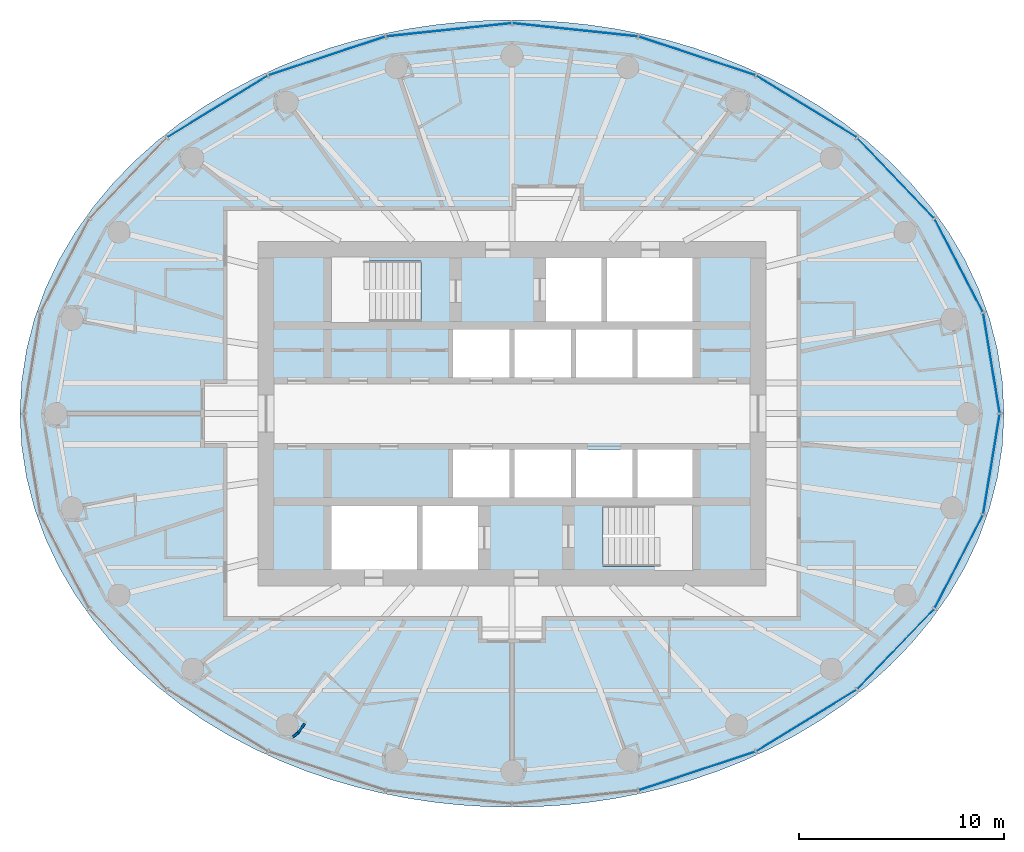
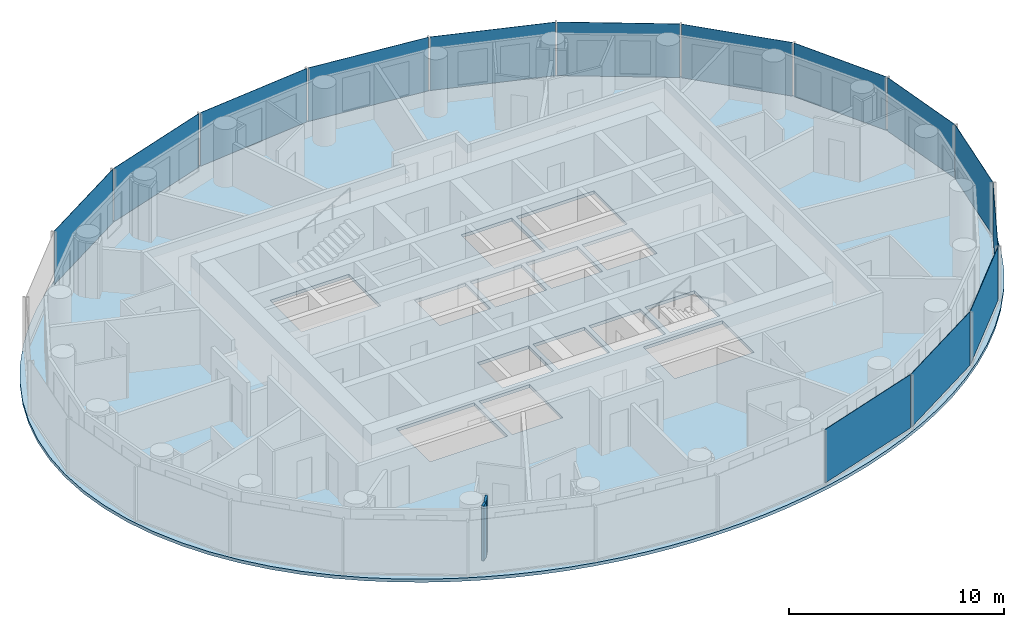
# One storey, part 5 of 13: 14 plates, 2 walls, 1 slab, 3 elements without a shape of their own.
"""IFC4 building model written with IfcOpenShell, lengths in metres."""

from ifc_helpers import new_model, si_unit, direction, frame, frame_2d, origin, origin_2d, place, context, subcontext, project, spatial, polyline, rectangle, outline, extrude, material, layer, layer_set, type_object, element, aggregate, save


model = new_model("IFC4")

# Units and contexts
model_context = context("Model", 3, precision=1e-05, world=origin(), true_north=direction((0.0, 1.0)))
body_context = subcontext(model_context, "Body", "Model", "MODEL_VIEW")
ifc_project = project(units=[si_unit("LENGTHUNIT", "METRE"), si_unit("AREAUNIT", "SQUARE_METRE"), si_unit("VOLUMEUNIT", "CUBIC_METRE"), si_unit("PLANEANGLEUNIT", "RADIAN"), si_unit("MASSUNIT", "GRAM", prefix="KILO")], contexts=[model_context])

# Site, building, storey
site_placement = place(None, origin())
site = spatial("IfcSite", under=ifc_project, at=site_placement, CompositionType="ELEMENT")
building_placement = place(site_placement, origin())
building = spatial("IfcBuilding", under=site, at=building_placement, Name="Hankou Lantern Tower", CompositionType="ELEMENT")
storey_placement = place(building_placement, frame((0.0, 0.0, 159.89990234375)))
storey = spatial("IfcBuildingStorey", under=building, at=storey_placement, Name="L42", CompositionType="ELEMENT", Elevation=159.89990234375)

# Curtain wall, plates
ifc_material_1 = material(Name="Glass, dark grey tinted laminated", Category="glass")
curtain_wall_type = type_object("IfcCurtainWallType", Name="CWC OUTER SKIN HIGH-RISE", PredefinedType="USERDEFINED", material=ifc_material_1)
curtain_wall_1_placement = place(storey_placement, origin())
curtain_wall_1 = element("IfcCurtainWall", 1, at=curtain_wall_1_placement, inside=storey, type_object=curtain_wall_type, Name="CWC L42 OS1", ObjectType="OUTER SKIN HIGH-RISE", PredefinedType="USERDEFINED")
ifc_material_2 = material(Name="Glass, dark grey tinted laminated", Category="glass")
ifc_layer_1 = layer(ifc_material_2, 0.02392578125)
ifc_layer_set_1 = layer_set([ifc_layer_1], Name="Glass, dark grey tinted laminated")
plate_type = type_object("IfcPlateType", Name="PN1 OUTER SKIN GLASS PANEL", PredefinedType="CURTAIN_PANEL", material=ifc_layer_set_1)
plate_1_placement = place(storey_placement, frame((23.39453125, 2.4638671875, 0.080078125), z_axis=(0.0, 0.0, 1.0), x_axis=(-0.162381515188, 0.986728049427, 0.0)))
plate_1 = element("IfcPlate", 2, at=plate_1_placement, type_object=plate_type, Name="CWC glass panel 1", PredefinedType="CURTAIN_PANEL", context=body_context, shape_type="SweptSolid", body=[
    extrude(rectangle(XDim=4.914306640625, YDim=0.02392578125, at=origin_2d()), origin(), (0.0, 0.0, 1.0), 3.0400390625),
])
plate_2_placement = place(storey_placement, frame((21.80029296875, 7.223876953125, 0.080078125), z_axis=(0.0, 0.0, 1.0), x_axis=(-0.459791091957, 0.888027112062, 0.0)))
plate_2 = element("IfcPlate", 3, at=plate_2_placement, type_object=plate_type, Name="CWC glass panel 2", PredefinedType="CURTAIN_PANEL", context=body_context, shape_type="SweptSolid", body=[
    extrude(rectangle(XDim=5.091064453125, YDim=0.02392578125, at=origin_2d()), origin(), (0.0, 0.0, 1.0), 3.0400390625),
])
plate_3_placement = place(storey_placement, frame((18.72021484375, 11.49169921875, 0.080078125), z_axis=(0.0, 0.0, 1.0), x_axis=(-0.692215809936, 0.721690565599, 0.0)))
plate_3 = element("IfcPlate", 4, at=plate_3_placement, type_object=plate_type, Name="CWC glass panel 3", PredefinedType="CURTAIN_PANEL", context=body_context, shape_type="SweptSolid", body=[
    extrude(rectangle(XDim=5.384033203125, YDim=0.02392578125, at=origin_2d()), origin(), (0.0, 0.0, 1.0), 3.0400390625),
])
plate_4_placement = place(storey_placement, frame((14.364501953125, 14.976318359375, 0.080078125), z_axis=(0.0, 0.0, 1.0), x_axis=(-0.852237151549, 0.523155653242, 0.0)))
plate_4 = element("IfcPlate", 5, at=plate_4_placement, type_object=plate_type, Name="CWC glass panel 4", PredefinedType="CURTAIN_PANEL", context=body_context, shape_type="SweptSolid", body=[
    extrude(rectangle(XDim=5.703857421875, YDim=0.02392578125, at=origin_2d()), origin(), (0.0, 0.0, 1.0), 3.0400390625),
])
plate_5_placement = place(storey_placement, frame((9.030029296875, 17.440185546875, 0.080078125), z_axis=(0.0, 0.0, 1.0), x_axis=(-0.949240677293, 0.31455068999, 0.0)))
plate_5 = element("IfcPlate", 6, at=plate_5_placement, type_object=plate_type, Name="CWC glass panel 5", PredefinedType="CURTAIN_PANEL", context=body_context, shape_type="SweptSolid", body=[
    extrude(rectangle(XDim=5.967041015625, YDim=0.02392578125, at=origin_2d()), origin(), (0.0, 0.0, 1.0), 3.0400390625),
])
plate_6_placement = place(storey_placement, frame((3.079833984375, 18.715576171875, 0.080078125), z_axis=(0.0, 0.0, 1.0), x_axis=(-0.994499359107, 0.104742659579, 0.0)))
plate_6 = element("IfcPlate", 7, at=plate_6_placement, type_object=plate_type, Name="CWC glass panel 6", PredefinedType="CURTAIN_PANEL", context=body_context, shape_type="SweptSolid", body=[
    extrude(rectangle(XDim=6.114013671875, YDim=0.02392578125, at=origin_2d()), origin(), (0.0, 0.0, 1.0), 3.0400390625),
])
aggregate(curtain_wall_1, [plate_1, plate_2, plate_3, plate_4, plate_5, plate_6])

curtain_wall_2_placement = place(storey_placement, origin())
curtain_wall_2 = element("IfcCurtainWall", 8, at=curtain_wall_2_placement, inside=storey, type_object=curtain_wall_type, Name="CWC L42 OS2", ObjectType="OUTER SKIN HIGH-RISE", PredefinedType="USERDEFINED")
plate_7_placement = place(storey_placement, frame((-3.079833984375, 18.715576171875, 0.080078125), z_axis=(0.0, 0.0, 1.0), x_axis=(-0.994499359107, -0.104742659579, 0.0)))
plate_7 = element("IfcPlate", 9, at=plate_7_placement, type_object=plate_type, Name="CWC glass panel 1", PredefinedType="CURTAIN_PANEL", context=body_context, shape_type="SweptSolid", body=[
    extrude(rectangle(XDim=6.114013671875, YDim=0.02392578125, at=origin_2d()), origin(), (0.0, 0.0, 1.0), 3.0400390625),
])
plate_8_placement = place(storey_placement, frame((-9.030029296875, 17.440185546875, 0.080078125), z_axis=(0.0, 0.0, 1.0), x_axis=(-0.949240677293, -0.31455068999, 0.0)))
plate_8 = element("IfcPlate", 10, at=plate_8_placement, type_object=plate_type, Name="CWC glass panel 2", PredefinedType="CURTAIN_PANEL", context=body_context, shape_type="SweptSolid", body=[
    extrude(rectangle(XDim=5.967041015625, YDim=0.02392578125, at=origin_2d()), origin(), (0.0, 0.0, 1.0), 3.0400390625),
])
plate_9_placement = place(storey_placement, frame((-14.364501953125, 14.976318359375, 0.080078125), z_axis=(0.0, 0.0, 1.0), x_axis=(-0.852237151549, -0.523155653242, 0.0)))
plate_9 = element("IfcPlate", 11, at=plate_9_placement, type_object=plate_type, Name="CWC glass panel 3", PredefinedType="CURTAIN_PANEL", context=body_context, shape_type="SweptSolid", body=[
    extrude(rectangle(XDim=5.703857421875, YDim=0.02392578125, at=origin_2d()), origin(), (0.0, 0.0, 1.0), 3.0400390625),
])
aggregate(curtain_wall_2, [plate_7, plate_8, plate_9])

curtain_wall_3_placement = place(storey_placement, origin())
curtain_wall_3 = element("IfcCurtainWall", 12, at=curtain_wall_3_placement, inside=storey, type_object=curtain_wall_type, Name="CWC L42 OS4", ObjectType="OUTER SKIN HIGH-RISE", PredefinedType="USERDEFINED")
plate_10_placement = place(storey_placement, frame((9.030029296875, -17.440185546875, 0.080078125), z_axis=(0.0, 0.0, 1.0), x_axis=(0.949240677293, 0.31455068999, 0.0)))
plate_10 = element("IfcPlate", 13, at=plate_10_placement, type_object=plate_type, Name="CWC glass panel 2", PredefinedType="CURTAIN_PANEL", context=body_context, shape_type="SweptSolid", body=[
    extrude(rectangle(XDim=5.967041015625, YDim=0.02392578125, at=origin_2d()), origin(), (0.0, 0.0, 1.0), 3.0400390625),
])
plate_11_placement = place(storey_placement, frame((14.364501953125, -14.976318359375, 0.080078125), z_axis=(0.0, 0.0, 1.0), x_axis=(0.852237151549, 0.523155653242, 0.0)))
plate_11 = element("IfcPlate", 14, at=plate_11_placement, type_object=plate_type, Name="CWC glass panel 3", PredefinedType="CURTAIN_PANEL", context=body_context, shape_type="SweptSolid", body=[
    extrude(rectangle(XDim=5.703857421875, YDim=0.02392578125, at=origin_2d()), origin(), (0.0, 0.0, 1.0), 3.0400390625),
])
plate_12_placement = place(storey_placement, frame((18.72021484375, -11.49169921875, 0.080078125), z_axis=(0.0, 0.0, 1.0), x_axis=(0.692215809936, 0.721690565599, 0.0)))
plate_12 = element("IfcPlate", 15, at=plate_12_placement, type_object=plate_type, Name="CWC glass panel 4", PredefinedType="CURTAIN_PANEL", context=body_context, shape_type="SweptSolid", body=[
    extrude(rectangle(XDim=5.384033203125, YDim=0.02392578125, at=origin_2d()), origin(), (0.0, 0.0, 1.0), 3.0400390625),
])
plate_13_placement = place(storey_placement, frame((21.80029296875, -7.223876953125, 0.080078125), z_axis=(0.0, 0.0, 1.0), x_axis=(0.459791091957, 0.888027112062, 0.0)))
plate_13 = element("IfcPlate", 16, at=plate_13_placement, type_object=plate_type, Name="CWC glass panel 5", PredefinedType="CURTAIN_PANEL", context=body_context, shape_type="SweptSolid", body=[
    extrude(rectangle(XDim=5.091064453125, YDim=0.02392578125, at=origin_2d()), origin(), (0.0, 0.0, 1.0), 3.0400390625),
])
plate_14_placement = place(storey_placement, frame((23.39453125, -2.4638671875, 0.080078125), z_axis=(0.0, 0.0, 1.0), x_axis=(0.162381515188, 0.986728049427, 0.0)))
plate_14 = element("IfcPlate", 17, at=plate_14_placement, type_object=plate_type, Name="CWC glass panel 6", PredefinedType="CURTAIN_PANEL", context=body_context, shape_type="SweptSolid", body=[
    extrude(rectangle(XDim=4.914306640625, YDim=0.02392578125, at=origin_2d()), origin(), (0.0, 0.0, 1.0), 3.0400390625),
])
aggregate(curtain_wall_3, [plate_10, plate_11, plate_12, plate_13, plate_14])

# Slab
ifc_material_3 = material(Name="Concrete C50", Category="concrete")
ifc_layer_2 = layer(ifc_material_3, 0.179931640625)
ifc_layer_set_2 = layer_set([ifc_layer_2], Name="Concrete C50")
slab_type = type_object("IfcSlabType", Name="S1 CONCRETE FLOOR SLAB 180", PredefinedType="FLOOR", material=ifc_layer_set_2)
slab_placement = place(storey_placement, frame((0.0, 0.0, -0.179931640625)))
element("IfcSlab", 18, at=slab_placement, inside=storey, type_object=slab_type, Name="Floor slab L42", PredefinedType="FLOOR", context=body_context, shape_type="SweptSolid", body=[
    extrude(outline(polyline([(24.0, 0.0), (23.919921875, 1.56787109375), (23.681396484375, 3.11767578125), (23.290771484375, 4.6328125), (22.75732421875, 6.097900390625), (22.09326171875, 7.499755859375), (21.312744140625, 8.827880859375), (20.43017578125, 10.0751953125), (19.461181640625, 11.23583984375), (18.420166015625, 12.307861328125), (17.320556640625, 13.29052734375), (16.174560546875, 14.184814453125), (14.99267578125, 14.99267578125), (13.783935546875, 15.717529296875), (12.5556640625, 16.363037109375), (11.31396484375, 16.9326171875), (10.0634765625, 17.4306640625), (8.8076171875, 17.8603515625), (7.54931640625, 18.225341796875), (6.289794921875, 18.52880859375), (5.0302734375, 18.7734375), (3.771728515625, 18.96142578125), (2.513916015625, 19.094482421875), (1.256591796875, 19.173583984375), (0.0, 19.199951171875), (-1.256591796875, 19.173583984375), (-2.513916015625, 19.094482421875), (-3.771728515625, 18.96142578125), (-5.0302734375, 18.7734375), (-6.289794921875, 18.52880859375), (-7.54931640625, 18.225341796875), (-8.8076171875, 17.8603515625), (-10.0634765625, 17.4306640625), (-11.31396484375, 16.9326171875), (-12.5556640625, 16.363037109375), (-13.783935546875, 15.717529296875), (-14.99267578125, 14.99267578125), (-16.174560546875, 14.184814453125), (-17.320556640625, 13.29052734375), (-18.420166015625, 12.307861328125), (-19.461181640625, 11.23583984375), (-20.43017578125, 10.0751953125), (-21.312744140625, 8.827880859375), (-22.09326171875, 7.499755859375), (-22.75732421875, 6.097900390625), (-23.290771484375, 4.6328125), (-23.681396484375, 3.11767578125), (-23.919921875, 1.56787109375), (-24.0, 0.0), (-23.919921875, -1.56787109375), (-23.681396484375, -3.11767578125), (-23.290771484375, -4.6328125), (-22.75732421875, -6.097900390625), (-22.09326171875, -7.499755859375), (-21.312744140625, -8.827880859375), (-20.43017578125, -10.0751953125), (-19.461181640625, -11.23583984375), (-18.420166015625, -12.307861328125), (-17.320556640625, -13.29052734375), (-16.174560546875, -14.184814453125), (-14.99267578125, -14.99267578125), (-13.783935546875, -15.717529296875), (-12.5556640625, -16.363037109375), (-11.31396484375, -16.9326171875), (-10.0634765625, -17.4306640625), (-8.8076171875, -17.8603515625), (-7.54931640625, -18.225341796875), (-6.289794921875, -18.52880859375), (-5.0302734375, -18.7734375), (-3.771728515625, -18.96142578125), (-2.513916015625, -19.094482421875), (-1.256591796875, -19.173583984375), (0.0, -19.199951171875), (1.256591796875, -19.173583984375), (2.513916015625, -19.094482421875), (3.771728515625, -18.96142578125), (5.0302734375, -18.7734375), (6.289794921875, -18.52880859375), (7.54931640625, -18.225341796875), (8.8076171875, -17.8603515625), (10.0634765625, -17.4306640625), (11.31396484375, -16.9326171875), (12.5556640625, -16.363037109375), (13.783935546875, -15.717529296875), (14.99267578125, -14.99267578125), (16.174560546875, -14.184814453125), (17.320556640625, -13.29052734375), (18.420166015625, -12.307861328125), (19.461181640625, -11.23583984375), (20.43017578125, -10.0751953125), (21.312744140625, -8.827880859375), (22.09326171875, -7.499755859375), (22.75732421875, -6.097900390625), (23.290771484375, -4.6328125), (23.681396484375, -3.11767578125), (23.919921875, -1.56787109375), (24.0, 0.0)]), holes=[polyline([(-2.875, 4.10009765625), (-0.125, 4.10009765625), (-0.125, 1.75), (-2.875, 1.75), (-2.875, 4.10009765625)]), polyline([(0.125, 4.10009765625), (2.875, 4.10009765625), (2.875, 1.75), (0.125, 1.75), (0.125, 4.10009765625)]), polyline([(3.125, 4.10009765625), (5.875, 4.10009765625), (5.875, 1.75), (3.125, 1.75), (3.125, 4.10009765625)]), polyline([(6.125, 4.10009765625), (8.800048828125, 4.10009765625), (8.800048828125, 1.75), (6.125, 1.75), (6.125, 4.10009765625)]), polyline([(-2.875, -1.75), (-0.125, -1.75), (-0.125, -4.10009765625), (-2.875, -4.10009765625), (-2.875, -1.75)]), polyline([(0.125, -1.75), (2.875, -1.75), (2.875, -4.10009765625), (0.125, -4.10009765625), (0.125, -1.75)]), polyline([(3.125, -1.75), (5.875, -1.75), (5.875, -4.10009765625), (3.125, -4.10009765625), (3.125, -1.75)]), polyline([(6.125, -1.75), (8.800048828125, -1.75), (8.800048828125, -4.10009765625), (6.125, -4.10009765625), (6.125, -1.75)]), polyline([(1.64990234375, 7.60009765625), (4.375, 7.60009765625), (4.375, 4.5), (1.64990234375, 4.5), (1.64990234375, 7.60009765625)]), polyline([(-4.375, -4.5), (-1.64990234375, -4.5), (-1.64990234375, -7.60009765625), (-4.375, -7.60009765625), (-4.375, -4.5)]), polyline([(-8.699951171875, 7.449951171875), (-4.449951171875, 7.449951171875), (-4.449951171875, 4.5), (-8.699951171875, 4.5), (-8.699951171875, 7.449951171875)]), polyline([(4.449951171875, -4.5), (8.699951171875, -4.5), (8.699951171875, -7.449951171875), (4.449951171875, -7.449951171875), (4.449951171875, -4.5)]), polyline([(4.625, 7.60009765625), (8.800048828125, 7.60009765625), (8.800048828125, 4.5), (4.625, 4.5), (4.625, 7.60009765625)]), polyline([(-8.800048828125, -4.5), (-4.625, -4.5), (-4.625, -7.60009765625), (-8.800048828125, -7.60009765625), (-8.800048828125, -4.5)])]), origin(), (0.0, 0.0, 1.0), 0.179931640625),
])

# Walls
ifc_material_4 = material(Name="Masonry lightweight concrete block", Category="masonry")
ifc_layer_3 = layer(ifc_material_4, 0.1201171875)
ifc_layer_set_3 = layer_set([ifc_layer_3], Name="Masonry lightweight concrete block")
wall_type = type_object("IfcWallType", Name="IW3 BATHROOM WALL 120", PredefinedType="PARTITIONING", material=ifc_layer_set_3)
wall_1_placement = place(storey_placement, frame((-10.10888671875, -15.121826171875, 0.0), z_axis=(0.0, 0.0, 1.0), x_axis=(-0.585344718358, -0.810784534072, 0.0)))
element("IfcWall", 19, at=wall_1_placement, inside=storey, type_object=wall_type, Name="Column casing 4206", PredefinedType="PARTITIONING", context=body_context, shape_type="SweptSolid", body=[
    extrude(rectangle(XDim=0.550048828125, YDim=0.1201171875, at=frame_2d((0.27490234375, 0.0))), origin(), (0.0, 0.0, 1.0), 3.1201171875),
])
wall_2_placement = place(storey_placement, frame((-10.430908203125, -15.56787109375, 0.0), z_axis=(0.0, 0.0, 1.0), x_axis=(-0.77505137267, -0.631898227345, 0.0)))
element("IfcWall", 20, at=wall_2_placement, inside=storey, type_object=wall_type, Name="Column casing 4206", PredefinedType="PARTITIONING", context=body_context, shape_type="SweptSolid", body=[
    extrude(rectangle(XDim=0.337646484375, YDim=0.1201171875, at=frame_2d((0.1689453125, 0.0))), origin(), (0.0, 0.0, 1.0), 3.1201171875),
])

save(model, "model.ifc")
